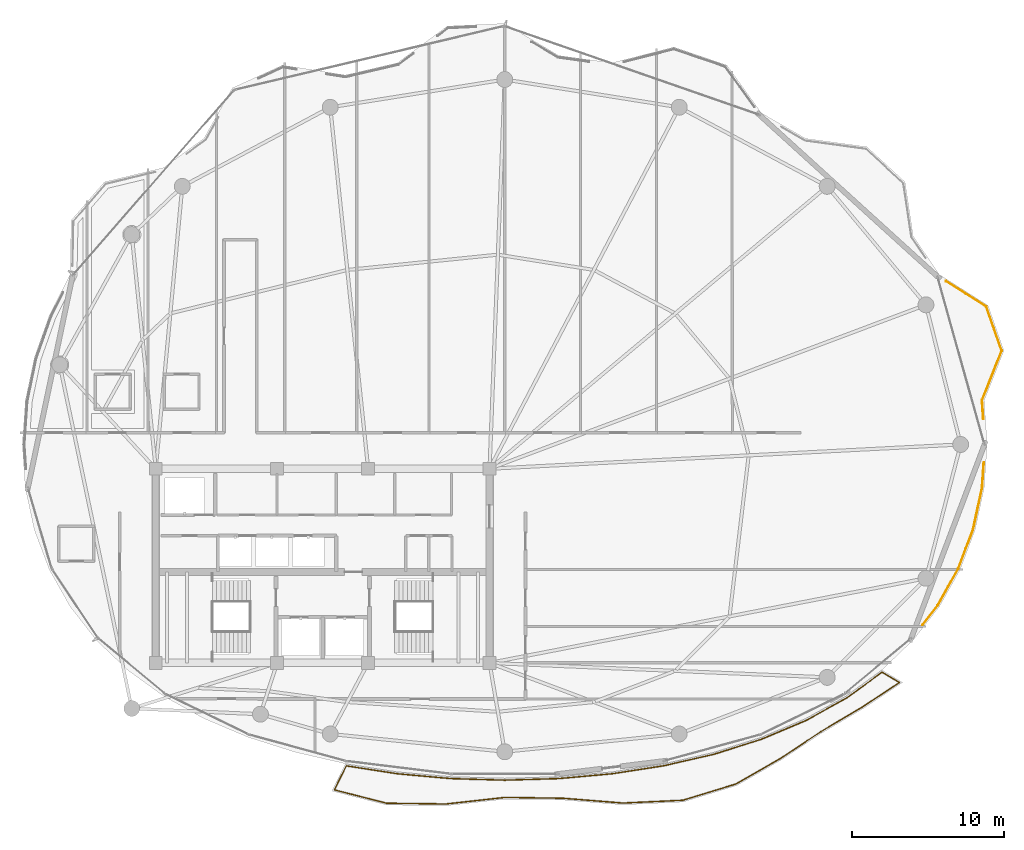
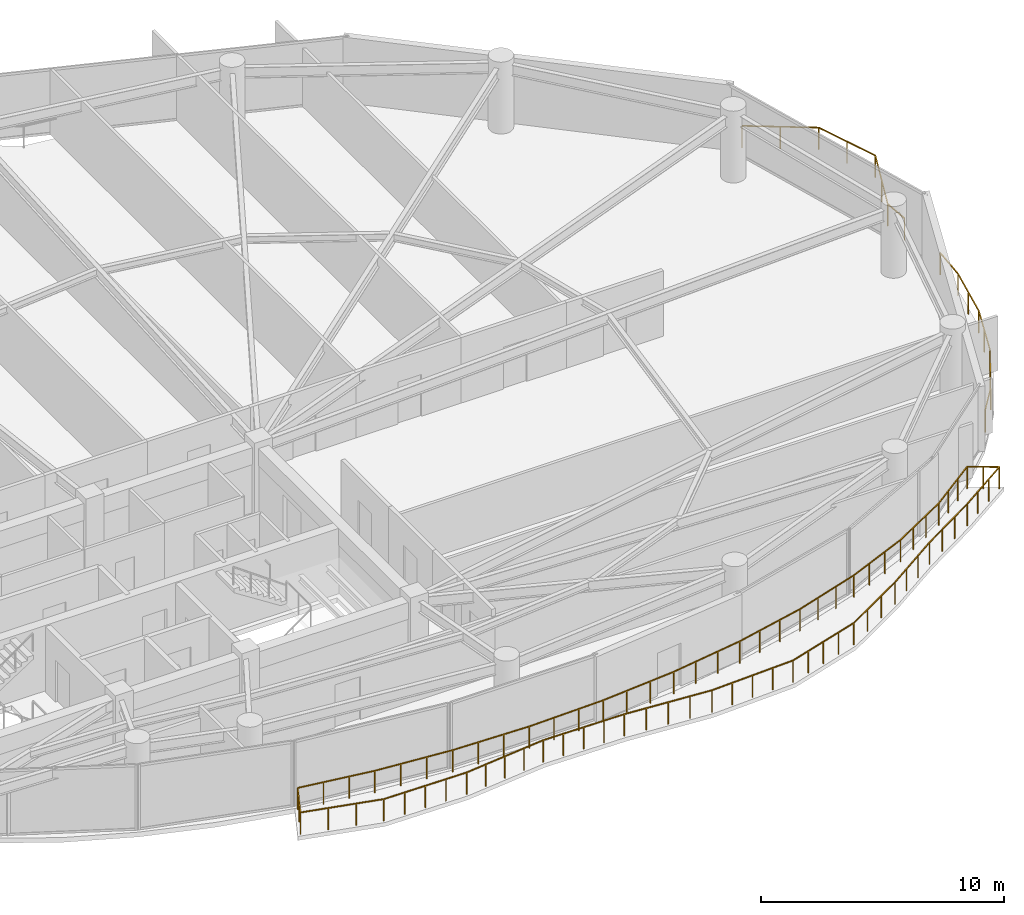
# One storey, part 28 of 29: 3 railings.
"""IFC4 building model written with IfcOpenShell, lengths in metres."""

from ifc_helpers import new_model, si_unit, direction, frame, origin, origin_2d, place, context, subcontext, project, spatial, rectangle, extrude, material, type_object, element, save


model = new_model("IFC4")

# Units and contexts
model_context = context("Model", 3, precision=1e-05, world=origin(), true_north=direction((0.0, 1.0)))
body_context = subcontext(model_context, "Body", "Model", "MODEL_VIEW")
ifc_project = project(units=[si_unit("LENGTHUNIT", "METRE"), si_unit("AREAUNIT", "SQUARE_METRE"), si_unit("VOLUMEUNIT", "CUBIC_METRE"), si_unit("PLANEANGLEUNIT", "RADIAN"), si_unit("MASSUNIT", "GRAM", prefix="KILO")], contexts=[model_context])

# Site, building, storey
site_placement = place(None, origin())
site = spatial("IfcSite", under=ifc_project, at=site_placement, CompositionType="ELEMENT")
building_placement = place(site_placement, origin())
building = spatial("IfcBuilding", under=site, at=building_placement, Name="Kazevale Care Tower and Concert Hall", CompositionType="ELEMENT")
storey_placement = place(building_placement, frame((0.0, 0.0, 249.60009765625)))
storey = spatial("IfcBuildingStorey", under=building, at=storey_placement, Name="L66", CompositionType="ELEMENT", Elevation=249.60009765625)

# Railings
ifc_material = material(Name="Anodised Bronze Aluminium and Laminated Glass", Category="aluminium")
railing_type = type_object("IfcRailingType", Name="Balcony and Terrace Balustrade 1120", PredefinedType="BALUSTRADE", material=ifc_material)
railing_1_placement = place(storey_placement, frame((76.576904296875, 36.81103515625, 0.0)))
element("IfcRailing", 1, at=railing_1_placement, inside=storey, type_object=railing_type, Name="rail:L66:perim:10", PredefinedType="BALUSTRADE", context=body_context, shape_type="SweptSolid", body=[
    extrude(rectangle(XDim=0.048095703125, YDim=0.048095703125, at=origin_2d()), frame((0.0, 0.0, 1.09619140625), z_axis=(-0.069683140934, -0.997569175481, 0.0), x_axis=(0.997569175481, -0.069683140934, 0.0)), (0.0, 0.0, 1.0), 1.664306640625),
    extrude(rectangle(XDim=0.048095703125, YDim=0.048095703125, at=origin_2d()), frame((-0.115966796875, -1.66015625, 1.09619140625), z_axis=(-0.210886672564, -0.97751051725, 0.0), x_axis=(0.97751051725, -0.210886672564, 0.0)), (0.0, 0.0, 1.0), 2.81201171875),
    extrude(rectangle(XDim=0.048095703125, YDim=0.048095703125, at=origin_2d()), frame((-0.708984375, -4.408935546875, 1.09619140625), z_axis=(-0.352914941795, -0.935655408715, 0.0), x_axis=(0.935655408715, -0.352914941795, 0.0)), (0.0, 0.0, 1.0), 2.77685546875),
    extrude(rectangle(XDim=0.048095703125, YDim=0.048095703125, at=origin_2d()), frame((-1.68896484375, -7.007080078125, 1.09619140625), z_axis=(-0.490131162051, -0.871648692987, 0.0), x_axis=(0.871648692987, -0.490131162051, 0.0)), (0.0, 0.0, 1.0), 2.762451171875),
    extrude(rectangle(XDim=0.048095703125, YDim=0.048095703125, at=origin_2d()), frame((-3.04296875, -9.4150390625, 1.09619140625), z_axis=(-0.615507243123, -0.788131228707, 0.0), x_axis=(0.788131228707, -0.615507243123, 0.0)), (0.0, 0.0, 1.0), 1.6279296875),
    extrude(rectangle(XDim=0.0419921875, YDim=0.0419921875, at=origin_2d()), origin(), (0.0, 0.0, 1.0), 1.072021484375),
    extrude(rectangle(XDim=0.0419921875, YDim=0.0419921875, at=origin_2d()), frame((-0.115966796875, -1.66015625, 0.0)), (0.0, 0.0, 1.0), 1.072021484375),
    extrude(rectangle(XDim=0.0419921875, YDim=0.0419921875, at=origin_2d()), frame((-0.41259765625, -3.03466796875, 0.0)), (0.0, 0.0, 1.0), 1.072021484375),
    extrude(rectangle(XDim=0.0419921875, YDim=0.0419921875, at=origin_2d()), frame((-0.708984375, -4.408935546875, 0.0)), (0.0, 0.0, 1.0), 1.072021484375),
    extrude(rectangle(XDim=0.0419921875, YDim=0.0419921875, at=origin_2d()), frame((-1.198974609375, -5.7080078125, 0.0)), (0.0, 0.0, 1.0), 1.072021484375),
    extrude(rectangle(XDim=0.0419921875, YDim=0.0419921875, at=origin_2d()), frame((-1.68896484375, -7.007080078125, 0.0)), (0.0, 0.0, 1.0), 1.072021484375),
    extrude(rectangle(XDim=0.0419921875, YDim=0.0419921875, at=origin_2d()), frame((-2.365966796875, -8.2109375, 0.0)), (0.0, 0.0, 1.0), 1.072021484375),
    extrude(rectangle(XDim=0.0419921875, YDim=0.0419921875, at=origin_2d()), frame((-3.04296875, -9.4150390625, 0.0)), (0.0, 0.0, 1.0), 1.072021484375),
    extrude(rectangle(XDim=0.0419921875, YDim=0.0419921875, at=origin_2d()), frame((-4.044921875, -10.697998046875, 0.0)), (0.0, 0.0, 1.0), 1.072021484375),
])
railing_2_placement = place(storey_placement, frame((74.073974609375, 48.760009765625, 0.0)))
element("IfcRailing", 2, at=railing_2_placement, inside=storey, type_object=railing_type, Name="rail:L66:perim:11", PredefinedType="BALUSTRADE", context=body_context, shape_type="SweptSolid", body=[
    extrude(rectangle(XDim=0.048095703125, YDim=0.048095703125, at=origin_2d()), frame((0.0, 0.0, 1.09619140625), z_axis=(0.845028885188, -0.534720659034, 0.0), x_axis=(0.534720659034, 0.845028885188, 0.0)), (0.0, 0.0, 1.0), 3.155029296875),
    extrude(rectangle(XDim=0.048095703125, YDim=0.048095703125, at=origin_2d()), frame((2.666015625, -1.68701171875, 1.09619140625), z_axis=(0.330541862018, -0.943791331521, 0.0), x_axis=(0.943791331521, 0.330541862018, 0.0)), (0.0, 0.0, 1.0), 3.0673828125),
    extrude(rectangle(XDim=0.048095703125, YDim=0.048095703125, at=origin_2d()), frame((3.679931640625, -4.58203125, 1.09619140625), z_axis=(-0.368706440166, -0.929545889658, 0.0), x_axis=(0.929545889658, -0.368706440166, 0.0)), (0.0, 0.0, 1.0), 3.5146484375),
    extrude(rectangle(XDim=0.048095703125, YDim=0.048095703125, at=origin_2d()), frame((2.384033203125, -7.84912109375, 1.09619140625), z_axis=(0.069088253147, -0.997610551907, 0.0), x_axis=(0.997610551907, 0.069088253147, 0.0)), (0.0, 0.0, 1.0), 1.229736328125),
    extrude(rectangle(XDim=0.0419921875, YDim=0.0419921875, at=origin_2d()), origin(), (0.0, 0.0, 1.0), 1.072021484375),
    extrude(rectangle(XDim=0.0419921875, YDim=0.0419921875, at=origin_2d()), frame((1.3330078125, -0.843505859375, 0.0)), (0.0, 0.0, 1.0), 1.072021484375),
    extrude(rectangle(XDim=0.0419921875, YDim=0.0419921875, at=origin_2d()), frame((2.666015625, -1.68701171875, 0.0)), (0.0, 0.0, 1.0), 1.072021484375),
    extrude(rectangle(XDim=0.0419921875, YDim=0.0419921875, at=origin_2d()), frame((3.1728515625, -3.134521484375, 0.0)), (0.0, 0.0, 1.0), 1.072021484375),
    extrude(rectangle(XDim=0.0419921875, YDim=0.0419921875, at=origin_2d()), frame((3.679931640625, -4.58203125, 0.0)), (0.0, 0.0, 1.0), 1.072021484375),
    extrude(rectangle(XDim=0.0419921875, YDim=0.0419921875, at=origin_2d()), frame((3.031982421875, -6.215576171875, 0.0)), (0.0, 0.0, 1.0), 1.072021484375),
    extrude(rectangle(XDim=0.0419921875, YDim=0.0419921875, at=origin_2d()), frame((2.384033203125, -7.84912109375, 0.0)), (0.0, 0.0, 1.0), 1.072021484375),
    extrude(rectangle(XDim=0.0419921875, YDim=0.0419921875, at=origin_2d()), frame((2.468994140625, -9.075927734375, 0.0)), (0.0, 0.0, 1.0), 1.072021484375),
])
railing_3_placement = place(storey_placement, frame((34.56298828125, 16.819091796875, 0.0)))
element("IfcRailing", 3, at=railing_3_placement, inside=storey, type_object=railing_type, Name="rail:L66:balcony", PredefinedType="BALUSTRADE", context=body_context, shape_type="SweptSolid", body=[
    extrude(rectangle(XDim=0.048095703125, YDim=0.048095703125, at=origin_2d()), frame((0.0, 0.0, 1.09619140625), z_axis=(0.988093340761, -0.15385561395, 0.0), x_axis=(0.15385561395, 0.988093340761, 0.0)), (0.0, 0.0, 1.0), 3.38623046875),
    extrude(rectangle(XDim=0.048095703125, YDim=0.048095703125, at=origin_2d()), frame((3.345947265625, -0.52099609375, 1.09619140625), z_axis=(0.995947899496, -0.089932093766, 0.0), x_axis=(0.089932093766, 0.995947899496, 0.0)), (0.0, 0.0, 1.0), 3.537353515625),
    extrude(rectangle(XDim=0.048095703125, YDim=0.048095703125, at=origin_2d()), frame((6.868896484375, -0.839111328125, 1.09619140625), z_axis=(0.999567458851, -0.029409100739, 0.0), x_axis=(0.029409100739, 0.999567458851, 0.0)), (0.0, 0.0, 1.0), 3.569580078125),
    extrude(rectangle(XDim=0.048095703125, YDim=0.048095703125, at=origin_2d()), frame((10.43701171875, -0.944091796875, 1.09619140625), z_axis=(0.999567458851, 0.029409100739, 0.0), x_axis=(-0.029409100739, 0.999567458851, 0.0)), (0.0, 0.0, 1.0), 3.569580078125),
    extrude(rectangle(XDim=0.048095703125, YDim=0.048095703125, at=origin_2d()), frame((14.005126953125, -0.839111328125, 1.09619140625), z_axis=(0.995947899496, 0.089932093766, 0.0), x_axis=(-0.089932093766, 0.995947899496, 0.0)), (0.0, 0.0, 1.0), 3.537353515625),
    extrude(rectangle(XDim=0.048095703125, YDim=0.048095703125, at=origin_2d()), frame((17.528076171875, -0.52099609375, 1.09619140625), z_axis=(0.988098216207, 0.153824299539, 0.0), x_axis=(-0.153824299539, 0.988098216207, 0.0)), (0.0, 0.0, 1.0), 3.4775390625),
    extrude(rectangle(XDim=0.048095703125, YDim=0.048095703125, at=origin_2d()), frame((20.964111328125, 0.013916015625, 1.09619140625), z_axis=(0.974534254558, 0.224238682418, 0.0), x_axis=(-0.224238682418, 0.974534254558, 0.0)), (0.0, 0.0, 1.0), 3.389404296875),
    extrude(rectangle(XDim=0.048095703125, YDim=0.048095703125, at=origin_2d()), frame((24.26708984375, 0.77392578125, 1.09619140625), z_axis=(0.953239514235, 0.302215864078, 0.0), x_axis=(-0.302215864078, 0.953239514235, 0.0)), (0.0, 0.0, 1.0), 3.285400390625),
    extrude(rectangle(XDim=0.048095703125, YDim=0.048095703125, at=origin_2d()), frame((27.39892578125, 1.766845703125, 1.09619140625), z_axis=(0.921006567992, 0.389547046858, 0.0), x_axis=(-0.389547046858, 0.921006567992, 0.0)), (0.0, 0.0, 1.0), 3.170654296875),
    extrude(rectangle(XDim=0.048095703125, YDim=0.048095703125, at=origin_2d()), frame((30.319091796875, 3.001953125, 1.09619140625), z_axis=(0.874149737903, 0.485656499724, 0.0), x_axis=(-0.485656499724, 0.874149737903, 0.0)), (0.0, 0.0, 1.0), 3.055419921875),
    extrude(rectangle(XDim=0.048095703125, YDim=0.048095703125, at=origin_2d()), frame((32.989990234375, 4.48583984375, 1.09619140625), z_axis=(0.809111467971, 0.587655198562, 0.0), x_axis=(-0.587655198562, 0.809111467971, 0.0)), (0.0, 0.0, 1.0), 2.867431640625),
    extrude(rectangle(XDim=0.048095703125, YDim=0.048095703125, at=origin_2d()), frame((35.31005859375, 6.1708984375, 1.09619140625), z_axis=(0.85837065212, -0.513030041596, 0.0), x_axis=(0.513030041596, 0.85837065212, 0.0)), (0.0, 0.0, 1.0), 1.323486328125),
    extrude(rectangle(XDim=0.048095703125, YDim=0.048095703125, at=origin_2d()), frame((36.446044921875, 5.491943359375, 1.09619140625), z_axis=(-0.833840377329, -0.552005638682, 0.0), x_axis=(0.552005638682, -0.833840377329, 0.0)), (0.0, 0.0, 1.0), 2.951416015625),
    extrude(rectangle(XDim=0.048095703125, YDim=0.048095703125, at=origin_2d()), frame((33.985107421875, 3.86279296875, 1.09619140625), z_axis=(-0.860284016512, -0.509815075232, 0.0), x_axis=(0.509815075232, -0.860284016512, 0.0)), (0.0, 0.0, 1.0), 3.165283203125),
    extrude(rectangle(XDim=0.048095703125, YDim=0.048095703125, at=origin_2d()), frame((31.261962890625, 2.2490234375, 1.09619140625), z_axis=(-0.833321293744, -0.552788948328, 0.0), x_axis=(0.552788948328, -0.833321293744, 0.0)), (0.0, 0.0, 1.0), 3.18603515625),
    extrude(rectangle(XDim=0.048095703125, YDim=0.048095703125, at=origin_2d()), frame((28.60693359375, 0.48779296875, 1.09619140625), z_axis=(-0.867230531376, -0.497906824063, 0.0), x_axis=(0.497906824063, -0.867230531376, 0.0)), (0.0, 0.0, 1.0), 3.3740234375),
    extrude(rectangle(XDim=0.048095703125, YDim=0.048095703125, at=origin_2d()), frame((25.680908203125, -1.192138671875, 1.09619140625), z_axis=(-0.955901401559, -0.293687777236, 0.0), x_axis=(0.293687777236, -0.955901401559, 0.0)), (0.0, 0.0, 1.0), 3.66357421875),
    extrude(rectangle(XDim=0.048095703125, YDim=0.048095703125, at=origin_2d()), frame((22.178955078125, -2.26806640625, 1.09619140625), z_axis=(-0.998916351965, -0.046541613383, 0.0), x_axis=(0.046541613383, -0.998916351965, 0.0)), (0.0, 0.0, 1.0), 3.955322265625),
    extrude(rectangle(XDim=0.048095703125, YDim=0.048095703125, at=origin_2d()), frame((18.22802734375, -2.4521484375, 1.09619140625), z_axis=(-0.996831030971, 0.079548071583, 0.0), x_axis=(-0.079548071583, -0.996831030971, 0.0)), (0.0, 0.0, 1.0), 3.98681640625),
    extrude(rectangle(XDim=0.048095703125, YDim=0.048095703125, at=origin_2d()), frame((14.25390625, -2.135009765625, 1.09619140625), z_axis=(-0.999903993889, 0.013856514891, 0.0), x_axis=(-0.013856514891, -0.999903993889, 0.0)), (0.0, 0.0, 1.0), 3.823486328125),
    extrude(rectangle(XDim=0.048095703125, YDim=0.048095703125, at=origin_2d()), frame((10.430908203125, -2.08203125, 1.09619140625), z_axis=(-0.99386002603, -0.110644695579, 0.0), x_axis=(0.110644695579, -0.99386002603, 0.0)), (0.0, 0.0, 1.0), 3.896728515625),
    extrude(rectangle(XDim=0.048095703125, YDim=0.048095703125, at=origin_2d()), frame((6.55810546875, -2.51318359375, 1.09619140625), z_axis=(-0.999920774707, 0.012587466382, 0.0), x_axis=(-0.012587466382, -0.999920774707, 0.0)), (0.0, 0.0, 1.0), 3.8984375),
    extrude(rectangle(XDim=0.048095703125, YDim=0.048095703125, at=origin_2d()), frame((2.659912109375, -2.464111328125, 1.09619140625), z_axis=(-0.968751374704, 0.24803381626, 0.0), x_axis=(-0.24803381626, -0.968751374704, 0.0)), (0.0, 0.0, 1.0), 3.560302734375),
    extrude(rectangle(XDim=0.048095703125, YDim=0.048095703125, at=origin_2d()), frame((-0.7890625, -1.5810546875, 1.09619140625), z_axis=(0.446550279081, 0.894758541872, 0.0), x_axis=(-0.894758541872, 0.446550279081, 0.0)), (0.0, 0.0, 1.0), 1.76708984375),
    extrude(rectangle(XDim=0.0419921875, YDim=0.0419921875, at=origin_2d()), origin(), (0.0, 0.0, 1.0), 1.072021484375),
    extrude(rectangle(XDim=0.0419921875, YDim=0.0419921875, at=origin_2d()), frame((1.115234375, -0.173583984375, 0.0)), (0.0, 0.0, 1.0), 1.072021484375),
    extrude(rectangle(XDim=0.0419921875, YDim=0.0419921875, at=origin_2d()), frame((2.230712890625, -0.347412109375, 0.0)), (0.0, 0.0, 1.0), 1.072021484375),
    extrude(rectangle(XDim=0.0419921875, YDim=0.0419921875, at=origin_2d()), frame((3.345947265625, -0.52099609375, 0.0)), (0.0, 0.0, 1.0), 1.072021484375),
    extrude(rectangle(XDim=0.0419921875, YDim=0.0419921875, at=origin_2d()), frame((4.520263671875, -0.626953125, 0.0)), (0.0, 0.0, 1.0), 1.072021484375),
    extrude(rectangle(XDim=0.0419921875, YDim=0.0419921875, at=origin_2d()), frame((5.694580078125, -0.733154296875, 0.0)), (0.0, 0.0, 1.0), 1.072021484375),
    extrude(rectangle(XDim=0.0419921875, YDim=0.0419921875, at=origin_2d()), frame((6.868896484375, -0.839111328125, 0.0)), (0.0, 0.0, 1.0), 1.072021484375),
    extrude(rectangle(XDim=0.0419921875, YDim=0.0419921875, at=origin_2d()), frame((8.058349609375, -0.8740234375, 0.0)), (0.0, 0.0, 1.0), 1.072021484375),
    extrude(rectangle(XDim=0.0419921875, YDim=0.0419921875, at=origin_2d()), frame((9.24755859375, -0.9091796875, 0.0)), (0.0, 0.0, 1.0), 1.072021484375),
    extrude(rectangle(XDim=0.0419921875, YDim=0.0419921875, at=origin_2d()), frame((10.43701171875, -0.944091796875, 0.0)), (0.0, 0.0, 1.0), 1.072021484375),
    extrude(rectangle(XDim=0.0419921875, YDim=0.0419921875, at=origin_2d()), frame((11.62646484375, -0.9091796875, 0.0)), (0.0, 0.0, 1.0), 1.072021484375),
    extrude(rectangle(XDim=0.0419921875, YDim=0.0419921875, at=origin_2d()), frame((12.815673828125, -0.8740234375, 0.0)), (0.0, 0.0, 1.0), 1.072021484375),
    extrude(rectangle(XDim=0.0419921875, YDim=0.0419921875, at=origin_2d()), frame((14.005126953125, -0.839111328125, 0.0)), (0.0, 0.0, 1.0), 1.072021484375),
    extrude(rectangle(XDim=0.0419921875, YDim=0.0419921875, at=origin_2d()), frame((15.179443359375, -0.733154296875, 0.0)), (0.0, 0.0, 1.0), 1.072021484375),
    extrude(rectangle(XDim=0.0419921875, YDim=0.0419921875, at=origin_2d()), frame((16.353759765625, -0.626953125, 0.0)), (0.0, 0.0, 1.0), 1.072021484375),
    extrude(rectangle(XDim=0.0419921875, YDim=0.0419921875, at=origin_2d()), frame((17.528076171875, -0.52099609375, 0.0)), (0.0, 0.0, 1.0), 1.072021484375),
    extrude(rectangle(XDim=0.0419921875, YDim=0.0419921875, at=origin_2d()), frame((18.67333984375, -0.3427734375, 0.0)), (0.0, 0.0, 1.0), 1.072021484375),
    extrude(rectangle(XDim=0.0419921875, YDim=0.0419921875, at=origin_2d()), frame((19.81884765625, -0.164306640625, 0.0)), (0.0, 0.0, 1.0), 1.072021484375),
    extrude(rectangle(XDim=0.0419921875, YDim=0.0419921875, at=origin_2d()), frame((20.964111328125, 0.013916015625, 0.0)), (0.0, 0.0, 1.0), 1.072021484375),
    extrude(rectangle(XDim=0.0419921875, YDim=0.0419921875, at=origin_2d()), frame((22.065185546875, 0.267333984375, 0.0)), (0.0, 0.0, 1.0), 1.072021484375),
    extrude(rectangle(XDim=0.0419921875, YDim=0.0419921875, at=origin_2d()), frame((23.166015625, 0.5205078125, 0.0)), (0.0, 0.0, 1.0), 1.072021484375),
    extrude(rectangle(XDim=0.0419921875, YDim=0.0419921875, at=origin_2d()), frame((24.26708984375, 0.77392578125, 0.0)), (0.0, 0.0, 1.0), 1.072021484375),
    extrude(rectangle(XDim=0.0419921875, YDim=0.0419921875, at=origin_2d()), frame((25.31103515625, 1.10498046875, 0.0)), (0.0, 0.0, 1.0), 1.072021484375),
    extrude(rectangle(XDim=0.0419921875, YDim=0.0419921875, at=origin_2d()), frame((26.35498046875, 1.435791015625, 0.0)), (0.0, 0.0, 1.0), 1.072021484375),
    extrude(rectangle(XDim=0.0419921875, YDim=0.0419921875, at=origin_2d()), frame((27.39892578125, 1.766845703125, 0.0)), (0.0, 0.0, 1.0), 1.072021484375),
    extrude(rectangle(XDim=0.0419921875, YDim=0.0419921875, at=origin_2d()), frame((28.372314453125, 2.178466796875, 0.0)), (0.0, 0.0, 1.0), 1.072021484375),
    extrude(rectangle(XDim=0.0419921875, YDim=0.0419921875, at=origin_2d()), frame((29.345703125, 2.59033203125, 0.0)), (0.0, 0.0, 1.0), 1.072021484375),
    extrude(rectangle(XDim=0.0419921875, YDim=0.0419921875, at=origin_2d()), frame((30.319091796875, 3.001953125, 0.0)), (0.0, 0.0, 1.0), 1.072021484375),
    extrude(rectangle(XDim=0.0419921875, YDim=0.0419921875, at=origin_2d()), frame((31.20947265625, 3.49658203125, 0.0)), (0.0, 0.0, 1.0), 1.072021484375),
    extrude(rectangle(XDim=0.0419921875, YDim=0.0419921875, at=origin_2d()), frame((32.099609375, 3.9912109375, 0.0)), (0.0, 0.0, 1.0), 1.072021484375),
    extrude(rectangle(XDim=0.0419921875, YDim=0.0419921875, at=origin_2d()), frame((32.989990234375, 4.48583984375, 0.0)), (0.0, 0.0, 1.0), 1.072021484375),
    extrude(rectangle(XDim=0.0419921875, YDim=0.0419921875, at=origin_2d()), frame((33.763427734375, 5.047607421875, 0.0)), (0.0, 0.0, 1.0), 1.072021484375),
    extrude(rectangle(XDim=0.0419921875, YDim=0.0419921875, at=origin_2d()), frame((34.53662109375, 5.609130859375, 0.0)), (0.0, 0.0, 1.0), 1.072021484375),
    extrude(rectangle(XDim=0.0419921875, YDim=0.0419921875, at=origin_2d()), frame((35.31005859375, 6.1708984375, 0.0)), (0.0, 0.0, 1.0), 1.072021484375),
    extrude(rectangle(XDim=0.0419921875, YDim=0.0419921875, at=origin_2d()), frame((35.8779296875, 5.83154296875, 0.0)), (0.0, 0.0, 1.0), 1.072021484375),
    extrude(rectangle(XDim=0.0419921875, YDim=0.0419921875, at=origin_2d()), frame((36.446044921875, 5.491943359375, 0.0)), (0.0, 0.0, 1.0), 1.072021484375),
    extrude(rectangle(XDim=0.0419921875, YDim=0.0419921875, at=origin_2d()), frame((35.625732421875, 4.948974609375, 0.0)), (0.0, 0.0, 1.0), 1.072021484375),
    extrude(rectangle(XDim=0.0419921875, YDim=0.0419921875, at=origin_2d()), frame((34.805419921875, 4.40576171875, 0.0)), (0.0, 0.0, 1.0), 1.072021484375),
    extrude(rectangle(XDim=0.0419921875, YDim=0.0419921875, at=origin_2d()), frame((33.985107421875, 3.86279296875, 0.0)), (0.0, 0.0, 1.0), 1.072021484375),
    extrude(rectangle(XDim=0.0419921875, YDim=0.0419921875, at=origin_2d()), frame((33.077392578125, 3.324951171875, 0.0)), (0.0, 0.0, 1.0), 1.072021484375),
    extrude(rectangle(XDim=0.0419921875, YDim=0.0419921875, at=origin_2d()), frame((32.169677734375, 2.786865234375, 0.0)), (0.0, 0.0, 1.0), 1.072021484375),
    extrude(rectangle(XDim=0.0419921875, YDim=0.0419921875, at=origin_2d()), frame((31.261962890625, 2.2490234375, 0.0)), (0.0, 0.0, 1.0), 1.072021484375),
    extrude(rectangle(XDim=0.0419921875, YDim=0.0419921875, at=origin_2d()), frame((30.376953125, 1.661865234375, 0.0)), (0.0, 0.0, 1.0), 1.072021484375),
    extrude(rectangle(XDim=0.0419921875, YDim=0.0419921875, at=origin_2d()), frame((29.491943359375, 1.074951171875, 0.0)), (0.0, 0.0, 1.0), 1.072021484375),
    extrude(rectangle(XDim=0.0419921875, YDim=0.0419921875, at=origin_2d()), frame((28.60693359375, 0.48779296875, 0.0)), (0.0, 0.0, 1.0), 1.072021484375),
    extrude(rectangle(XDim=0.0419921875, YDim=0.0419921875, at=origin_2d()), frame((27.631591796875, -0.072265625, 0.0)), (0.0, 0.0, 1.0), 1.072021484375),
    extrude(rectangle(XDim=0.0419921875, YDim=0.0419921875, at=origin_2d()), frame((26.65625, -0.632080078125, 0.0)), (0.0, 0.0, 1.0), 1.072021484375),
    extrude(rectangle(XDim=0.0419921875, YDim=0.0419921875, at=origin_2d()), frame((25.680908203125, -1.192138671875, 0.0)), (0.0, 0.0, 1.0), 1.072021484375),
    extrude(rectangle(XDim=0.0419921875, YDim=0.0419921875, at=origin_2d()), frame((24.805419921875, -1.461181640625, 0.0)), (0.0, 0.0, 1.0), 1.072021484375),
    extrude(rectangle(XDim=0.0419921875, YDim=0.0419921875, at=origin_2d()), frame((23.929931640625, -1.72998046875, 0.0)), (0.0, 0.0, 1.0), 1.072021484375),
    extrude(rectangle(XDim=0.0419921875, YDim=0.0419921875, at=origin_2d()), frame((23.054443359375, -1.9990234375, 0.0)), (0.0, 0.0, 1.0), 1.072021484375),
    extrude(rectangle(XDim=0.0419921875, YDim=0.0419921875, at=origin_2d()), frame((22.178955078125, -2.26806640625, 0.0)), (0.0, 0.0, 1.0), 1.072021484375),
    extrude(rectangle(XDim=0.0419921875, YDim=0.0419921875, at=origin_2d()), frame((21.191162109375, -2.31396484375, 0.0)), (0.0, 0.0, 1.0), 1.072021484375),
    extrude(rectangle(XDim=0.0419921875, YDim=0.0419921875, at=origin_2d()), frame((20.20361328125, -2.360107421875, 0.0)), (0.0, 0.0, 1.0), 1.072021484375),
    extrude(rectangle(XDim=0.0419921875, YDim=0.0419921875, at=origin_2d()), frame((19.2158203125, -2.40625, 0.0)), (0.0, 0.0, 1.0), 1.072021484375),
    extrude(rectangle(XDim=0.0419921875, YDim=0.0419921875, at=origin_2d()), frame((18.22802734375, -2.4521484375, 0.0)), (0.0, 0.0, 1.0), 1.072021484375),
    extrude(rectangle(XDim=0.0419921875, YDim=0.0419921875, at=origin_2d()), frame((17.234375, -2.372802734375, 0.0)), (0.0, 0.0, 1.0), 1.072021484375),
    extrude(rectangle(XDim=0.0419921875, YDim=0.0419921875, at=origin_2d()), frame((16.240966796875, -2.29345703125, 0.0)), (0.0, 0.0, 1.0), 1.072021484375),
    extrude(rectangle(XDim=0.0419921875, YDim=0.0419921875, at=origin_2d()), frame((15.24755859375, -2.21435546875, 0.0)), (0.0, 0.0, 1.0), 1.072021484375),
    extrude(rectangle(XDim=0.0419921875, YDim=0.0419921875, at=origin_2d()), frame((14.25390625, -2.135009765625, 0.0)), (0.0, 0.0, 1.0), 1.072021484375),
    extrude(rectangle(XDim=0.0419921875, YDim=0.0419921875, at=origin_2d()), frame((13.298095703125, -2.121826171875, 0.0)), (0.0, 0.0, 1.0), 1.072021484375),
    extrude(rectangle(XDim=0.0419921875, YDim=0.0419921875, at=origin_2d()), frame((12.34228515625, -2.1083984375, 0.0)), (0.0, 0.0, 1.0), 1.072021484375),
    extrude(rectangle(XDim=0.0419921875, YDim=0.0419921875, at=origin_2d()), frame((11.38671875, -2.09521484375, 0.0)), (0.0, 0.0, 1.0), 1.072021484375),
    extrude(rectangle(XDim=0.0419921875, YDim=0.0419921875, at=origin_2d()), frame((10.430908203125, -2.08203125, 0.0)), (0.0, 0.0, 1.0), 1.072021484375),
    extrude(rectangle(XDim=0.0419921875, YDim=0.0419921875, at=origin_2d()), frame((9.462646484375, -2.18994140625, 0.0)), (0.0, 0.0, 1.0), 1.072021484375),
    extrude(rectangle(XDim=0.0419921875, YDim=0.0419921875, at=origin_2d()), frame((8.49462890625, -2.297607421875, 0.0)), (0.0, 0.0, 1.0), 1.072021484375),
    extrude(rectangle(XDim=0.0419921875, YDim=0.0419921875, at=origin_2d()), frame((7.5263671875, -2.4052734375, 0.0)), (0.0, 0.0, 1.0), 1.072021484375),
    extrude(rectangle(XDim=0.0419921875, YDim=0.0419921875, at=origin_2d()), frame((6.55810546875, -2.51318359375, 0.0)), (0.0, 0.0, 1.0), 1.072021484375),
    extrude(rectangle(XDim=0.0419921875, YDim=0.0419921875, at=origin_2d()), frame((5.58349609375, -2.5009765625, 0.0)), (0.0, 0.0, 1.0), 1.072021484375),
    extrude(rectangle(XDim=0.0419921875, YDim=0.0419921875, at=origin_2d()), frame((4.60888671875, -2.48876953125, 0.0)), (0.0, 0.0, 1.0), 1.072021484375),
    extrude(rectangle(XDim=0.0419921875, YDim=0.0419921875, at=origin_2d()), frame((3.634521484375, -2.476318359375, 0.0)), (0.0, 0.0, 1.0), 1.072021484375),
    extrude(rectangle(XDim=0.0419921875, YDim=0.0419921875, at=origin_2d()), frame((2.659912109375, -2.464111328125, 0.0)), (0.0, 0.0, 1.0), 1.072021484375),
    extrude(rectangle(XDim=0.0419921875, YDim=0.0419921875, at=origin_2d()), frame((1.51025390625, -2.169677734375, 0.0)), (0.0, 0.0, 1.0), 1.072021484375),
    extrude(rectangle(XDim=0.0419921875, YDim=0.0419921875, at=origin_2d()), frame((0.360595703125, -1.87548828125, 0.0)), (0.0, 0.0, 1.0), 1.072021484375),
    extrude(rectangle(XDim=0.0419921875, YDim=0.0419921875, at=origin_2d()), frame((-0.7890625, -1.5810546875, 0.0)), (0.0, 0.0, 1.0), 1.072021484375),
    extrude(rectangle(XDim=0.0419921875, YDim=0.0419921875, at=origin_2d()), frame((-0.39453125, -0.79052734375, 0.0)), (0.0, 0.0, 1.0), 1.072021484375),
])

save(model, "model.ifc")
